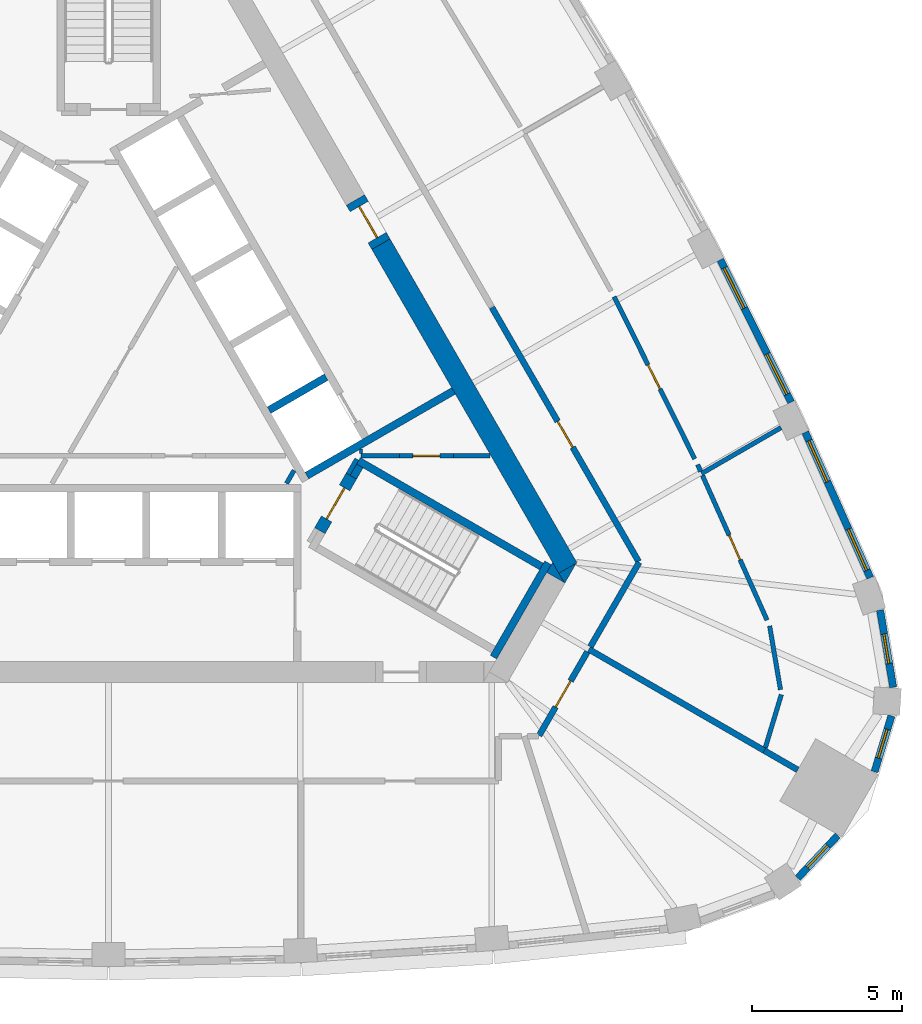
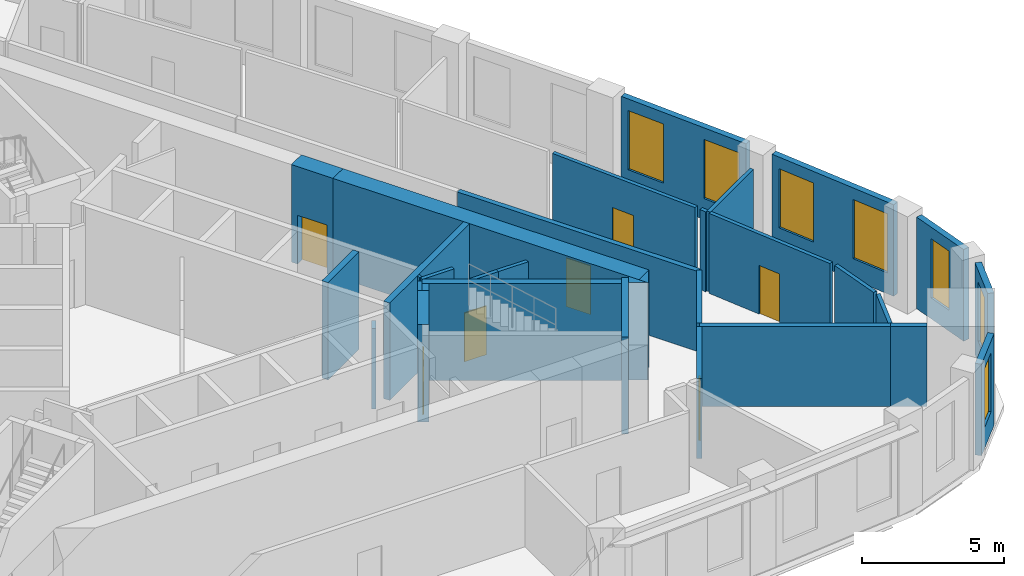
# One storey, part 7 of 11: 32 walls, 7 doors, 7 windows, 14 openings.
"""IFC4 building model written with IfcOpenShell, lengths in metres."""

from ifc_helpers import new_model, si_unit, direction, frame, frame_2d, origin, place, context, subcontext, project, spatial, polyline, rectangle, outline, extrude, material, layer, layer_set, type_object, element, fill, save


model = new_model("IFC4")

# Units and contexts
model_context = context("Model", 3, precision=1e-05, world=origin(), true_north=direction((0.0, 1.0)))
body_context = subcontext(model_context, "Body", "Model", "MODEL_VIEW")
ifc_project = project(units=[si_unit("LENGTHUNIT", "METRE"), si_unit("AREAUNIT", "SQUARE_METRE"), si_unit("VOLUMEUNIT", "CUBIC_METRE"), si_unit("PLANEANGLEUNIT", "RADIAN"), si_unit("MASSUNIT", "GRAM", prefix="KILO")], contexts=[model_context])

# Site, building, storey
site_placement = place(None, origin())
site = spatial("IfcSite", under=ifc_project, at=site_placement, CompositionType="ELEMENT")
building_placement = place(site_placement, origin())
building = spatial("IfcBuilding", under=site, at=building_placement, Name="Mestral Congress Tower", CompositionType="ELEMENT")
storey_placement = place(building_placement, frame((0.0, 0.0, 210.0)))
storey = spatial("IfcBuildingStorey", under=building, at=storey_placement, Name="L49", CompositionType="ELEMENT", Elevation=210.0)

# Walls
ifc_material_1 = material(Name="Fire-rated board partition")
ifc_layer_1 = layer(ifc_material_1, 0.14990234375)
ifc_layer_set_1 = layer_set([ifc_layer_1], Name="Fire-rated board partition")
wall_type_1 = type_object("IfcWallType", Name="Core partition 150", PredefinedType="PARTITIONING", material=ifc_layer_set_1)
wall_1_placement = place(storey_placement, frame((11.50048828125, -2.800537109375, 0.0), z_axis=(0.0, 0.0, 1.0), x_axis=(1.0, 0.0, 0.0)))
element("IfcWall", 1, at=wall_1_placement, inside=storey, type_object=wall_type_1, Name="L49 core wall", PredefinedType="PARTITIONING", context=body_context, shape_type="SweptSolid", body=[
    extrude(rectangle(XDim=1.22216796875, YDim=0.14990234375, at=frame_2d((0.611083984375, 0.0))), origin(), (0.0, 0.0, 1.0), 3.449951171875),
])
wall_2_placement = place(storey_placement, frame((5.935791015625, -3.718017578125, 0.0), z_axis=(0.0, 0.0, 1.0), x_axis=(0.499890179513, 0.866088799389, 0.0)))
element("IfcWall", 2, at=wall_2_placement, inside=storey, type_object=wall_type_1, Name="L49 core wall", PredefinedType="PARTITIONING", context=body_context, shape_type="SweptSolid", body=[
    extrude(rectangle(XDim=0.50390625, YDim=0.14990234375, at=frame_2d((0.251953125, 0.0))), origin(), (0.0, 0.0, 1.0), 3.449951171875),
])

# Wall, opening, door
wall_3_placement = place(storey_placement, frame((9.7001953125, -2.800048828125, 0.0), z_axis=(0.0, 0.0, 1.0), x_axis=(1.0, 0.0, 0.0)))
wall_3 = element("IfcWall", 3, at=wall_3_placement, inside=storey, type_object=wall_type_1, Name="L49 door wall", PredefinedType="PARTITIONING", context=body_context, shape_type="SweptSolid", body=[
    extrude(rectangle(XDim=1.800048828125, YDim=0.14990234375, at=frame_2d((0.89990234375, 0.0))), origin(), (0.0, 0.0, 1.0), 3.449951171875),
])
opening_1_placement = place(wall_3_placement, frame((0.449951171875, 0.0, 0.0)))
opening_1 = element("IfcOpeningElement", 4, at=opening_1_placement, cuts=wall_3, Name="Opening SD-PX10", PredefinedType="OPENING", context=body_context, shape_type="SweptSolid", body=[
    extrude(rectangle(XDim=0.89990234375, YDim=2.10009765625, at=frame_2d((0.449951171875, 1.050048828125))), frame((0.0, 0.0849609375, 0.0), z_axis=(0.0, -1.0, 0.0), x_axis=(1.0, 0.0, 0.0)), (0.0, 0.0, 1.0), 0.169921875),
])
ifc_material_2 = material(Name="Fire-rated steel door set", Category="steel")
door_type_1 = type_object("IfcDoorType", Name="Core door SR 900x2100", OperationType="SINGLE_SWING_LEFT", PredefinedType="DOOR", material=ifc_material_2)
door_1_placement = place(opening_1_placement, origin())
door_1 = element("IfcDoor", 5, at=door_1_placement, inside=storey, type_object=door_type_1, Name="Door SD-PX10", OperationType="SINGLE_SWING_LEFT", OverallHeight=2.10009765625, OverallWidth=0.89990234375, PredefinedType="DOOR", context=body_context, shape_type="SweptSolid", body=[
    extrude(rectangle(XDim=0.89990234375, YDim=2.10009765625, at=frame_2d((0.449951171875, 1.050048828125))), frame((0.0, 0.02490234375, 0.0), z_axis=(0.0, -1.0, 0.0), x_axis=(1.0, 0.0, 0.0)), (0.0, 0.0, 1.0), 0.050048828125),
])
fill(opening_1, door_1)

# Walls
ifc_material_3 = material(Name="Concrete C60/75", Category="concrete")
ifc_layer_2 = layer(ifc_material_3, 0.699951171875)
ifc_layer_set_2 = layer_set([ifc_layer_2], Name="Concrete C60/75")
wall_type_2 = type_object("IfcWallType", Name="Core wall RC 700", PredefinedType="SOLIDWALL", material=ifc_layer_set_2)
wall_4_placement = place(storey_placement, frame((9.085205078125, 4.263916015625, 0.0), z_axis=(0.0, 0.0, 1.0), x_axis=(0.499998082512, -0.866026510844, 0.0)))
element("IfcWall", 6, at=wall_4_placement, inside=storey, type_object=wall_type_2, Name="L49 core wall", PredefinedType="SOLIDWALL", context=body_context, shape_type="SweptSolid", body=[
    extrude(rectangle(XDim=12.47216796875, YDim=0.699951171875, at=frame_2d((6.236083984375, 0.0))), origin(), (0.0, 0.0, 1.0), 4.199951171875),
])
placement = place(storey_placement, origin())
element("IfcWall", 7, at=placement, inside=storey, type_object=wall_type_2, Name="L49 core wall", PredefinedType="SOLIDWALL", context=body_context, shape_type="SweptSolid", body=[
    extrude(outline(polyline([(15.213134765625, -7.050048828125), (15.019287109375, -6.714111328125), (15.60107421875, -6.3779296875), (15.213134765625, -7.050048828125)])), origin(), (0.0, 0.0, 1.0), 4.199951171875),
])
element("IfcWall", 8, at=placement, inside=storey, type_object=wall_type_2, Name="L49 core wall", PredefinedType="SOLIDWALL", context=body_context, shape_type="SweptSolid", body=[
    extrude(outline(polyline([(14.80908203125, -6.35009765625), (15.197265625, -7.022216796875), (14.614990234375, -6.68603515625), (14.80908203125, -6.35009765625)])), origin(), (0.0, 0.0, 1.0), 4.199951171875),
])

# Wall, opening, door
wall_7_placement = place(storey_placement, frame((8.2353515625, 5.736083984375, 0.0), z_axis=(0.0, 0.0, 1.0), x_axis=(0.499954529098, -0.86605165483, 0.0)))
wall_7 = element("IfcWall", 9, at=wall_7_placement, inside=storey, type_object=wall_type_2, Name="L49 door wall", PredefinedType="SOLIDWALL", context=body_context, shape_type="SweptSolid", body=[
    extrude(rectangle(XDim=1.699951171875, YDim=0.699951171875, at=frame_2d((0.85009765625, 0.0))), origin(), (0.0, 0.0, 1.0), 4.199951171875),
])
opening_2_placement = place(wall_7_placement, frame((0.25, 0.0, 0.0)))
opening_2 = element("IfcOpeningElement", 10, at=opening_2_placement, cuts=wall_7, Name="Opening XDL", PredefinedType="OPENING", context=body_context, shape_type="SweptSolid", body=[
    extrude(rectangle(XDim=1.199951171875, YDim=2.10009765625, at=frame_2d((0.60009765625, 1.050048828125))), frame((0.0, 0.35986328125, 0.0), z_axis=(0.0, -1.0, 0.0), x_axis=(1.0, 0.0, 0.0)), (0.0, 0.0, 1.0), 0.719970703125),
])
door_type_2 = type_object("IfcDoorType", Name="Core door XD 1200x2100", OperationType="SINGLE_SWING_LEFT", PredefinedType="DOOR", material=ifc_material_2)
door_2_placement = place(opening_2_placement, origin())
door_2 = element("IfcDoor", 11, at=door_2_placement, inside=storey, type_object=door_type_2, Name="Door XDL", OperationType="SINGLE_SWING_LEFT", OverallHeight=2.10009765625, OverallWidth=1.199951171875, PredefinedType="DOOR", context=body_context, shape_type="SweptSolid", body=[
    extrude(rectangle(XDim=1.199951171875, YDim=2.10009765625, at=frame_2d((0.60009765625, 1.050048828125))), frame((0.0, 0.02490234375, 0.0), z_axis=(0.0, -1.0, 0.0), x_axis=(1.0, 0.0, 0.0)), (0.0, 0.0, 1.0), 0.050048828125),
])
fill(opening_2, door_2)

# Wall, opening, window
ifc_material_4 = material(Name="Precast concrete C40/50 with limestone facing", Category="masonry")
ifc_layer_3 = layer(ifc_material_4, 0.239990234375)
ifc_layer_set_3 = layer_set([ifc_layer_3], Name="Precast concrete C40/50 with limestone facing")
wall_type_3 = type_object("IfcWallType", Name="Facade stone wall 240", PredefinedType="SOLIDWALL", material=ifc_layer_set_3)
wall_8_placement = place(storey_placement, frame((22.989013671875, -16.87890625, 0.0), z_axis=(0.0, 0.0, 1.0), x_axis=(0.684770274166, 0.728758994194, 0.0)))
wall_8 = element("IfcWall", 12, at=wall_8_placement, inside=storey, type_object=wall_type_3, Name="Facade wall K0-1", PredefinedType="SOLIDWALL", context=body_context, shape_type="SweptSolid", body=[
    extrude(rectangle(XDim=1.947998046875, YDim=0.239990234375, at=frame_2d((0.97412109375, 0.0))), origin(), (0.0, 0.0, 1.0), 3.949951171875),
])
opening_3_placement = place(wall_8_placement, frame((0.47412109375, 0.0, 0.89990234375)))
opening_3 = element("IfcOpeningElement", 13, at=opening_3_placement, cuts=wall_8, Name="Opening W5", PredefinedType="OPENING", context=body_context, shape_type="SweptSolid", body=[
    extrude(rectangle(XDim=1.0, YDim=2.550048828125, at=frame_2d((0.5, 1.27490234375))), frame((0.0, 0.1298828125, 0.0), z_axis=(0.0, -1.0, 0.0), x_axis=(1.0, 0.0, 0.0)), (0.0, 0.0, 1.0), 0.260009765625),
])
ifc_material_5 = material(Name="Clear low-emissivity double glazing", Category="glass")
window_type_1 = type_object("IfcWindowType", Name="Facade punched window 1000 x 2550 sill 900", PartitioningType="SINGLE_PANEL", PredefinedType="WINDOW", material=ifc_material_5)
window_1_placement = place(opening_3_placement, origin())
window_1 = element("IfcWindow", 14, at=window_1_placement, inside=storey, type_object=window_type_1, Name="Window K0-1", OverallHeight=2.550048828125, OverallWidth=1.0, PartitioningType="SINGLE_PANEL", PredefinedType="WINDOW", context=body_context, shape_type="SweptSolid", body=[
    extrude(rectangle(XDim=1.0, YDim=2.550048828125, at=frame_2d((0.5, 1.27490234375))), frame((0.0, 0.0400390625, 0.0), z_axis=(0.0, -1.0, 0.0), x_axis=(1.0, 0.0, 0.0)), (0.0, 0.0, 1.0), 0.06005859375),
])
fill(opening_3, window_1)

wall_9_placement = place(storey_placement, frame((25.5498046875, -13.334716796875, 0.0), z_axis=(0.0, 0.0, 1.0), x_axis=(0.288727209095, 0.957411405159, 0.0)))
wall_9 = element("IfcWall", 15, at=wall_9_placement, inside=storey, type_object=wall_type_3, Name="Facade wall K0-2", PredefinedType="SOLIDWALL", context=body_context, shape_type="SweptSolid", body=[
    extrude(rectangle(XDim=1.9482421875, YDim=0.239990234375, at=frame_2d((0.97412109375, 0.0))), origin(), (0.0, 0.0, 1.0), 3.949951171875),
])
opening_4_placement = place(wall_9_placement, frame((0.47412109375, 0.0, 0.89990234375)))
opening_4 = element("IfcOpeningElement", 16, at=opening_4_placement, cuts=wall_9, Name="Opening W5", PredefinedType="OPENING", context=body_context, shape_type="SweptSolid", body=[
    extrude(rectangle(XDim=1.0, YDim=2.550048828125, at=frame_2d((0.5, 1.27490234375))), frame((0.0, 0.1298828125, 0.0), z_axis=(0.0, -1.0, 0.0), x_axis=(1.0, 0.0, 0.0)), (0.0, 0.0, 1.0), 0.260009765625),
])
window_2_placement = place(opening_4_placement, origin())
window_2 = element("IfcWindow", 17, at=window_2_placement, inside=storey, type_object=window_type_1, Name="Window K0-2", OverallHeight=2.550048828125, OverallWidth=1.0, PartitioningType="SINGLE_PANEL", PredefinedType="WINDOW", context=body_context, shape_type="SweptSolid", body=[
    extrude(rectangle(XDim=1.0, YDim=2.550048828125, at=frame_2d((0.5, 1.27490234375))), frame((0.0, 0.0400390625, 0.0), z_axis=(0.0, -1.0, 0.0), x_axis=(1.0, 0.0, 0.0)), (0.0, 0.0, 1.0), 0.06005859375),
])
fill(opening_4, window_2)

wall_10_placement = place(storey_placement, frame((26.171630859375, -10.517333984375, 0.0), z_axis=(0.0, 0.0, 1.0), x_axis=(-0.167660055546, 0.985844869021, 0.0)))
wall_10 = element("IfcWall", 18, at=wall_10_placement, inside=storey, type_object=wall_type_3, Name="Facade wall K0-3", PredefinedType="SOLIDWALL", context=body_context, shape_type="SweptSolid", body=[
    extrude(rectangle(XDim=2.609375, YDim=0.239990234375, at=frame_2d((1.3046875, 0.0))), origin(), (0.0, 0.0, 1.0), 3.949951171875),
])
opening_5_placement = place(wall_10_placement, frame((0.8046875, 0.0, 0.89990234375)))
opening_5 = element("IfcOpeningElement", 19, at=opening_5_placement, cuts=wall_10, Name="Opening W5", PredefinedType="OPENING", context=body_context, shape_type="SweptSolid", body=[
    extrude(rectangle(XDim=1.0, YDim=2.550048828125, at=frame_2d((0.5, 1.27490234375))), frame((0.0, 0.1298828125, 0.0), z_axis=(0.0, -1.0, 0.0), x_axis=(1.0, 0.0, 0.0)), (0.0, 0.0, 1.0), 0.260009765625),
])
window_3_placement = place(opening_5_placement, origin())
window_3 = element("IfcWindow", 20, at=window_3_placement, inside=storey, type_object=window_type_1, Name="Window K0-3", OverallHeight=2.550048828125, OverallWidth=1.0, PartitioningType="SINGLE_PANEL", PredefinedType="WINDOW", context=body_context, shape_type="SweptSolid", body=[
    extrude(rectangle(XDim=1.0, YDim=2.550048828125, at=frame_2d((0.5, 1.27490234375))), frame((0.0, 0.0400390625, 0.0), z_axis=(0.0, -1.0, 0.0), x_axis=(1.0, 0.0, 0.0)), (0.0, 0.0, 1.0), 0.06005859375),
])
fill(opening_5, window_3)

# Wall, openings, windows
wall_11_placement = place(storey_placement, frame((25.405029296875, -6.86083984375, 0.0), z_axis=(0.0, 0.0, 1.0), x_axis=(-0.407579651789, 0.913169659728, 0.0)))
wall_11 = element("IfcWall", 21, at=wall_11_placement, inside=storey, type_object=wall_type_3, Name="Facade wall F1-00", PredefinedType="SOLIDWALL", context=body_context, shape_type="SweptSolid", body=[
    extrude(rectangle(XDim=5.310791015625, YDim=0.239990234375, at=frame_2d((2.6552734375, 0.0))), origin(), (0.0, 0.0, 1.0), 3.949951171875),
])
opening_6_placement = place(wall_11_placement, frame((0.271484375, 0.0, 0.89990234375)))
opening_6 = element("IfcOpeningElement", 22, at=opening_6_placement, cuts=wall_11, Name="Opening W4", PredefinedType="OPENING", context=body_context, shape_type="SweptSolid", body=[
    extrude(rectangle(XDim=1.5, YDim=2.550048828125, at=frame_2d((0.75, 1.27490234375))), frame((0.0, 0.1298828125, 0.0), z_axis=(0.0, -1.0, 0.0), x_axis=(1.0, 0.0, 0.0)), (0.0, 0.0, 1.0), 0.260009765625),
])
opening_7_placement = place(wall_11_placement, frame((3.50439453125, 0.0, 0.89990234375)))
opening_7 = element("IfcOpeningElement", 23, at=opening_7_placement, cuts=wall_11, Name="Opening W4", PredefinedType="OPENING", context=body_context, shape_type="SweptSolid", body=[
    extrude(rectangle(XDim=1.5, YDim=2.550048828125, at=frame_2d((0.75, 1.27490234375))), frame((0.0, 0.1298828125, 0.0), z_axis=(0.0, -1.0, 0.0), x_axis=(1.0, 0.0, 0.0)), (0.0, 0.0, 1.0), 0.260009765625),
])
window_type_2 = type_object("IfcWindowType", Name="Facade punched window 1500 x 2550 sill 900", PartitioningType="SINGLE_PANEL", PredefinedType="WINDOW", material=ifc_material_5)
window_4_placement = place(opening_6_placement, origin())
window_4 = element("IfcWindow", 24, at=window_4_placement, inside=storey, type_object=window_type_2, Name="Window F1-00a", OverallHeight=2.550048828125, OverallWidth=1.5, PartitioningType="SINGLE_PANEL", PredefinedType="WINDOW", context=body_context, shape_type="SweptSolid", body=[
    extrude(rectangle(XDim=1.5, YDim=2.550048828125, at=frame_2d((0.75, 1.27490234375))), frame((0.0, 0.0400390625, 0.0), z_axis=(0.0, -1.0, 0.0), x_axis=(1.0, 0.0, 0.0)), (0.0, 0.0, 1.0), 0.06005859375),
])
fill(opening_6, window_4)
window_5_placement = place(opening_7_placement, origin())
window_5 = element("IfcWindow", 25, at=window_5_placement, inside=storey, type_object=window_type_2, Name="Window F1-00b", OverallHeight=2.550048828125, OverallWidth=1.5, PartitioningType="SINGLE_PANEL", PredefinedType="WINDOW", context=body_context, shape_type="SweptSolid", body=[
    extrude(rectangle(XDim=1.5, YDim=2.550048828125, at=frame_2d((0.75, 1.27490234375))), frame((0.0, 0.0400390625, 0.0), z_axis=(0.0, -1.0, 0.0), x_axis=(1.0, 0.0, 0.0)), (0.0, 0.0, 1.0), 0.06005859375),
])
fill(opening_7, window_5)

wall_12_placement = place(storey_placement, frame((22.765869140625, -1.0048828125, 0.0), z_axis=(0.0, 0.0, 1.0), x_axis=(-0.445129582031, 0.895466166419, 0.0)))
wall_12 = element("IfcWall", 26, at=wall_12_placement, inside=storey, type_object=wall_type_3, Name="Facade wall F1-01", PredefinedType="SOLIDWALL", context=body_context, shape_type="SweptSolid", body=[
    extrude(rectangle(XDim=5.29833984375, YDim=0.239990234375, at=frame_2d((2.649169921875, 0.0))), origin(), (0.0, 0.0, 1.0), 3.949951171875),
])
opening_8_placement = place(wall_12_placement, frame((0.294677734375, 0.0, 0.89990234375)))
opening_8 = element("IfcOpeningElement", 27, at=opening_8_placement, cuts=wall_12, Name="Opening W4", PredefinedType="OPENING", context=body_context, shape_type="SweptSolid", body=[
    extrude(rectangle(XDim=1.5, YDim=2.550048828125, at=frame_2d((0.75, 1.27490234375))), frame((0.0, 0.1298828125, 0.0), z_axis=(0.0, -1.0, 0.0), x_axis=(1.0, 0.0, 0.0)), (0.0, 0.0, 1.0), 0.260009765625),
])
opening_9_placement = place(wall_12_placement, frame((3.503662109375, 0.0, 0.89990234375)))
opening_9 = element("IfcOpeningElement", 28, at=opening_9_placement, cuts=wall_12, Name="Opening W4", PredefinedType="OPENING", context=body_context, shape_type="SweptSolid", body=[
    extrude(rectangle(XDim=1.5, YDim=2.550048828125, at=frame_2d((0.75, 1.27490234375))), frame((0.0, 0.1298828125, 0.0), z_axis=(0.0, -1.0, 0.0), x_axis=(1.0, 0.0, 0.0)), (0.0, 0.0, 1.0), 0.260009765625),
])
window_6_placement = place(opening_8_placement, origin())
window_6 = element("IfcWindow", 29, at=window_6_placement, inside=storey, type_object=window_type_2, Name="Window F1-01a", OverallHeight=2.550048828125, OverallWidth=1.5, PartitioningType="SINGLE_PANEL", PredefinedType="WINDOW", context=body_context, shape_type="SweptSolid", body=[
    extrude(rectangle(XDim=1.5, YDim=2.550048828125, at=frame_2d((0.75, 1.27490234375))), frame((0.0, 0.0400390625, 0.0), z_axis=(0.0, -1.0, 0.0), x_axis=(1.0, 0.0, 0.0)), (0.0, 0.0, 1.0), 0.06005859375),
])
fill(opening_8, window_6)
window_7_placement = place(opening_9_placement, origin())
window_7 = element("IfcWindow", 30, at=window_7_placement, inside=storey, type_object=window_type_2, Name="Window F1-01b", OverallHeight=2.550048828125, OverallWidth=1.5, PartitioningType="SINGLE_PANEL", PredefinedType="WINDOW", context=body_context, shape_type="SweptSolid", body=[
    extrude(rectangle(XDim=1.5, YDim=2.550048828125, at=frame_2d((0.75, 1.27490234375))), frame((0.0, 0.0400390625, 0.0), z_axis=(0.0, -1.0, 0.0), x_axis=(1.0, 0.0, 0.0)), (0.0, 0.0, 1.0), 0.06005859375),
])
fill(opening_9, window_7)

# Walls
ifc_material_6 = material(Name="Plasterboard partition on steel studs", Category="steel")
ifc_layer_4 = layer(ifc_material_6, 0.14990234375)
ifc_layer_set_4 = layer_set([ifc_layer_4], Name="Plasterboard partition on steel studs")
wall_type_4 = type_object("IfcWallType", Name="Office partition 150", PredefinedType="PARTITIONING", material=ifc_layer_set_4)
wall_13_placement = place(storey_placement, frame((19.7802734375, -3.385986328125, 0.0), z_axis=(0.0, 0.0, 1.0), x_axis=(0.866063280451, 0.49993438995, 0.0)))
element("IfcWall", 31, at=wall_13_placement, inside=storey, type_object=wall_type_4, Name="Partition", PredefinedType="PARTITIONING", context=body_context, shape_type="SweptSolid", body=[
    extrude(rectangle(XDim=3.05810546875, YDim=0.14990234375, at=frame_2d((1.529052734375, 0.0))), origin(), (0.0, 0.0, 1.0), 3.449951171875),
])
wall_14_placement = place(storey_placement, frame((21.90625, -12.531982421875, 0.0), z_axis=(0.0, 0.0, 1.0), x_axis=(0.288789848591, 0.957392512688, 0.0)))
element("IfcWall", 32, at=wall_14_placement, inside=storey, type_object=wall_type_4, Name="Partition", PredefinedType="PARTITIONING", context=body_context, shape_type="SweptSolid", body=[
    extrude(rectangle(XDim=1.84814453125, YDim=0.14990234375, at=frame_2d((0.924072265625, 0.0))), origin(), (0.0, 0.0, 1.0), 3.449951171875),
])
wall_15_placement = place(storey_placement, frame((22.41162109375, -10.5966796875, 0.0), z_axis=(0.0, 0.0, 1.0), x_axis=(-0.167612004459, 0.985853039738, 0.0)))
element("IfcWall", 33, at=wall_15_placement, inside=storey, type_object=wall_type_4, Name="Partition", PredefinedType="PARTITIONING", context=body_context, shape_type="SweptSolid", body=[
    extrude(rectangle(XDim=2.15576171875, YDim=0.14990234375, at=frame_2d((1.077880859375, 0.0))), origin(), (0.0, 0.0, 1.0), 3.449951171875),
])

# Wall, opening, door
wall_16_placement = place(storey_placement, frame((19.81103515625, -3.455078125, 0.0), z_axis=(0.0, 0.0, 1.0), x_axis=(0.407605393886, -0.913158169692, 0.0)))
wall_16 = element("IfcWall", 34, at=wall_16_placement, inside=storey, type_object=wall_type_4, Name="Partition", PredefinedType="PARTITIONING", context=body_context, shape_type="SweptSolid", body=[
    extrude(rectangle(XDim=5.279296875, YDim=0.14990234375, at=frame_2d((2.6396484375, 0.0))), origin(), (0.0, 0.0, 1.0), 3.449951171875),
])
opening_10_placement = place(wall_16_placement, frame((2.179443359375, 0.0, 0.0)))
opening_10 = element("IfcOpeningElement", 35, at=opening_10_placement, cuts=wall_16, Name="Opening O06-005", PredefinedType="OPENING", context=body_context, shape_type="SweptSolid", body=[
    extrude(rectangle(XDim=0.89990234375, YDim=2.10009765625, at=frame_2d((0.449951171875, 1.050048828125))), frame((0.0, 0.0849609375, 0.0), z_axis=(0.0, -1.0, 0.0), x_axis=(1.0, 0.0, 0.0)), (0.0, 0.0, 1.0), 0.169921875),
])
ifc_material_7 = material(Name="Timber door set", Category="wood")
door_type_3 = type_object("IfcDoorType", Name="Office door 900x2100", OperationType="SINGLE_SWING_LEFT", PredefinedType="DOOR", material=ifc_material_7)
door_3_placement = place(opening_10_placement, origin())
door_3 = element("IfcDoor", 36, at=door_3_placement, inside=storey, type_object=door_type_3, Name="Door O06-005", OperationType="SINGLE_SWING_LEFT", OverallHeight=2.10009765625, OverallWidth=0.89990234375, PredefinedType="DOOR", context=body_context, shape_type="SweptSolid", body=[
    extrude(rectangle(XDim=0.89990234375, YDim=2.10009765625, at=frame_2d((0.449951171875, 1.050048828125))), frame((0.0, 0.02490234375, 0.0), z_axis=(0.0, -1.0, 0.0), x_axis=(1.0, 0.0, 0.0)), (0.0, 0.0, 1.0), 0.050048828125),
])
fill(opening_10, door_3)

# Wall
wall_17_placement = place(storey_placement, frame((19.74951171875, -3.3173828125, 0.0), z_axis=(0.0, 0.0, 1.0), x_axis=(-0.406774979688, 0.913528388119, 0.0)))
element("IfcWall", 37, at=wall_17_placement, inside=storey, type_object=wall_type_4, Name="Partition", PredefinedType="PARTITIONING", context=body_context, shape_type="SweptSolid", body=[
    extrude(rectangle(XDim=0.2490234375, YDim=0.14990234375, at=frame_2d((0.12451171875, 0.0))), origin(), (0.0, 0.0, 1.0), 3.449951171875),
])

# Wall, opening, door
wall_18_placement = place(storey_placement, frame((16.86279296875, 2.5126953125, 0.0), z_axis=(0.0, 0.0, 1.0), x_axis=(0.445159947046, -0.895451071553, 0.0)))
wall_18 = element("IfcWall", 38, at=wall_18_placement, inside=storey, type_object=wall_type_4, Name="Partition", PredefinedType="PARTITIONING", context=body_context, shape_type="SweptSolid", body=[
    extrude(rectangle(XDim=6.042724609375, YDim=0.14990234375, at=frame_2d((3.021484375, 0.0))), origin(), (0.0, 0.0, 1.0), 3.449951171875),
])
opening_11_placement = place(wall_18_placement, frame((2.54248046875, 0.0, 0.0)))
opening_11 = element("IfcOpeningElement", 39, at=opening_11_placement, cuts=wall_18, Name="Opening O06-006", PredefinedType="OPENING", context=body_context, shape_type="SweptSolid", body=[
    extrude(rectangle(XDim=0.89990234375, YDim=2.10009765625, at=frame_2d((0.449951171875, 1.050048828125))), frame((0.0, 0.0849609375, 0.0), z_axis=(0.0, -1.0, 0.0), x_axis=(1.0, 0.0, 0.0)), (0.0, 0.0, 1.0), 0.169921875),
])
door_4_placement = place(opening_11_placement, origin())
door_4 = element("IfcDoor", 40, at=door_4_placement, inside=storey, type_object=door_type_3, Name="Door O06-006", OperationType="SINGLE_SWING_LEFT", OverallHeight=2.10009765625, OverallWidth=0.89990234375, PredefinedType="DOOR", context=body_context, shape_type="SweptSolid", body=[
    extrude(rectangle(XDim=0.89990234375, YDim=2.10009765625, at=frame_2d((0.449951171875, 1.050048828125))), frame((0.0, 0.02490234375, 0.0), z_axis=(0.0, -1.0, 0.0), x_axis=(1.0, 0.0, 0.0)), (0.0, 0.0, 1.0), 0.050048828125),
])
fill(opening_11, door_4)

# Walls
ifc_material_8 = material(Name="Dense masonry wall, plastered", Category="masonry")
ifc_layer_5 = layer(ifc_material_8, 0.199951171875)
ifc_layer_set_5 = layer_set([ifc_layer_5], Name="Dense masonry wall, plastered")
wall_type_5 = type_object("IfcWallType", Name="Office tenancy wall 200", PredefinedType="PARTITIONING", material=ifc_layer_set_5)
wall_19_placement = place(storey_placement, frame((21.873046875, -12.62841796875, 0.0), z_axis=(0.0, 0.0, 1.0), x_axis=(0.866052988967, -0.499952218018, 0.0)))
element("IfcWall", 41, at=wall_19_placement, inside=storey, type_object=wall_type_5, Name="Tenancy wall", PredefinedType="PARTITIONING", context=body_context, shape_type="SweptSolid", body=[
    extrude(rectangle(XDim=1.287841796875, YDim=0.199951171875, at=frame_2d((0.64404296875, 0.0))), origin(), (0.0, 0.0, 1.0), 3.449951171875),
])
wall_20_placement = place(storey_placement, frame((16.021484375, -9.25, 0.0), z_axis=(0.0, 0.0, 1.0), x_axis=(0.86602692059, -0.499997372806, 0.0)))
element("IfcWall", 42, at=wall_20_placement, inside=storey, type_object=wall_type_5, Name="Tenancy wall", PredefinedType="PARTITIONING", context=body_context, shape_type="SweptSolid", body=[
    extrude(rectangle(XDim=6.7646484375, YDim=0.199951171875, at=frame_2d((3.38232421875, 0.0))), origin(), (0.0, 0.0, 1.0), 3.449951171875),
])

# Wall, opening, door
wall_21_placement = place(storey_placement, frame((14.362060546875, -12.1240234375, 0.0), z_axis=(0.0, 0.0, 1.0), x_axis=(0.500022299258, 0.866012528919, 0.0)))
wall_21 = element("IfcWall", 43, at=wall_21_placement, inside=storey, type_object=wall_type_5, Name="Tenancy wall", PredefinedType="PARTITIONING", context=body_context, shape_type="SweptSolid", body=[
    extrude(rectangle(XDim=3.218505859375, YDim=0.199951171875, at=frame_2d((1.609375, 0.0))), origin(), (0.0, 0.0, 1.0), 3.449951171875),
])
opening_12_placement = place(wall_21_placement, frame((1.10009765625, 0.0, 0.0)))
opening_12 = element("IfcOpeningElement", 44, at=opening_12_placement, cuts=wall_21, Name="Opening O06-004", PredefinedType="OPENING", context=body_context, shape_type="SweptSolid", body=[
    extrude(rectangle(XDim=1.0, YDim=2.10009765625, at=frame_2d((0.5, 1.050048828125))), frame((0.0, 0.10986328125, 0.0), z_axis=(0.0, -1.0, 0.0), x_axis=(1.0, 0.0, 0.0)), (0.0, 0.0, 1.0), 0.219970703125),
])
ifc_material_9 = material(Name="Fire-rated timber door set", Category="wood")
door_type_4 = type_object("IfcDoorType", Name="Office tenancy entrance door 1000x2100", OperationType="SINGLE_SWING_LEFT", PredefinedType="DOOR", material=ifc_material_9)
door_5_placement = place(opening_12_placement, origin())
door_5 = element("IfcDoor", 45, at=door_5_placement, inside=storey, type_object=door_type_4, Name="Door O06-004", OperationType="SINGLE_SWING_LEFT", OverallHeight=2.10009765625, OverallWidth=1.0, PredefinedType="DOOR", context=body_context, shape_type="SweptSolid", body=[
    extrude(rectangle(XDim=1.0, YDim=2.10009765625, at=frame_2d((0.5, 1.050048828125))), frame((0.0, 0.02490234375, 0.0), z_axis=(0.0, -1.0, 0.0), x_axis=(1.0, 0.0, 0.0)), (0.0, 0.0, 1.0), 0.050048828125),
])
fill(opening_12, door_5)

# Wall
wall_22_placement = place(storey_placement, frame((16.071533203125, -9.163330078125, 0.0), z_axis=(0.0, 0.0, 1.0), x_axis=(0.500010870188, 0.866019127788, 0.0)))
element("IfcWall", 46, at=wall_22_placement, inside=storey, type_object=wall_type_5, Name="Tenancy wall", PredefinedType="PARTITIONING", context=body_context, shape_type="SweptSolid", body=[
    extrude(rectangle(XDim=3.24853515625, YDim=0.199951171875, at=frame_2d((1.624267578125, 0.0))), origin(), (0.0, 0.0, 1.0), 3.449951171875),
])

# Wall, opening, door
wall_23_placement = place(storey_placement, frame((17.680908203125, -6.323974609375, 0.0), z_axis=(0.0, 0.0, 1.0), x_axis=(-0.500021153861, 0.866013190252, 0.0)))
wall_23 = element("IfcWall", 47, at=wall_23_placement, inside=storey, type_object=wall_type_5, Name="Tenancy wall", PredefinedType="PARTITIONING", context=body_context, shape_type="SweptSolid", body=[
    extrude(rectangle(XDim=9.787109375, YDim=0.199951171875, at=frame_2d((4.8935546875, 0.0))), origin(), (0.0, 0.0, 1.0), 3.449951171875),
])
opening_13_placement = place(wall_23_placement, frame((4.39990234375, 0.0, 0.0)))
opening_13 = element("IfcOpeningElement", 48, at=opening_13_placement, cuts=wall_23, Name="Opening O06-009", PredefinedType="OPENING", context=body_context, shape_type="SweptSolid", body=[
    extrude(rectangle(XDim=1.0, YDim=2.10009765625, at=frame_2d((0.5, 1.050048828125))), frame((0.0, 0.10986328125, 0.0), z_axis=(0.0, -1.0, 0.0), x_axis=(1.0, 0.0, 0.0)), (0.0, 0.0, 1.0), 0.219970703125),
])
door_6_placement = place(opening_13_placement, origin())
door_6 = element("IfcDoor", 49, at=door_6_placement, inside=storey, type_object=door_type_4, Name="Door O06-009", OperationType="SINGLE_SWING_RIGHT", OverallHeight=2.10009765625, OverallWidth=1.0, PredefinedType="DOOR", context=body_context, shape_type="SweptSolid", body=[
    extrude(rectangle(XDim=1.0, YDim=2.10009765625, at=frame_2d((0.5, 1.050048828125))), frame((0.0, 0.02490234375, 0.0), z_axis=(0.0, -1.0, 0.0), x_axis=(1.0, 0.0, 0.0)), (0.0, 0.0, 1.0), 0.050048828125),
])
fill(opening_13, door_6)

# Walls
ifc_layer_6 = layer(ifc_material_3, 0.25)
ifc_layer_set_6 = layer_set([ifc_layer_6], Name="Concrete C60/75")
wall_type_6 = type_object("IfcWallType", Name="Shaft wall RC 250", PredefinedType="SOLIDWALL", material=ifc_layer_set_6)
wall_24_placement = place(storey_placement, frame((5.35400390625, -1.273681640625, 0.0), z_axis=(0.0, 0.0, 1.0), x_axis=(0.866008176907, 0.50002983664, 0.0)))
element("IfcWall", 50, at=wall_24_placement, inside=storey, type_object=wall_type_6, Name="L49 core wall", PredefinedType="SOLIDWALL", context=body_context, shape_type="SweptSolid", body=[
    extrude(rectangle(XDim=2.199951171875, YDim=0.25, at=frame_2d((1.10009765625, 0.0))), origin(), (0.0, 0.0, 1.0), 4.199951171875),
])
wall_25_placement = place(storey_placement, frame((11.507080078125, -0.630859375, 0.0), z_axis=(0.0, 0.0, 1.0), x_axis=(-0.866011447264, -0.500024172624, 0.0)))
element("IfcWall", 51, at=wall_25_placement, inside=storey, type_object=wall_type_6, Name="L49 core wall", PredefinedType="SOLIDWALL", context=body_context, shape_type="SweptSolid", body=[
    extrude(rectangle(XDim=5.650146484375, YDim=0.25, at=frame_2d((2.8251953125, 0.0))), origin(), (0.0, 0.0, 1.0), 4.199951171875),
])
ifc_layer_7 = layer(ifc_material_3, 0.14990234375)
ifc_layer_set_7 = layer_set([ifc_layer_7], Name="Concrete C60/75")
wall_type_7 = type_object("IfcWallType", Name="Shaft wall RC 250 door-wall 150", PredefinedType="SOLIDWALL", material=ifc_layer_set_7)
wall_26_placement = place(storey_placement, frame((8.412109375, -2.800048828125, 0.0), z_axis=(0.0, 0.0, 1.0), x_axis=(1.0, 0.0, 0.0)))
element("IfcWall", 52, at=wall_26_placement, inside=storey, type_object=wall_type_7, Name="L49 core wall", PredefinedType="PARTITIONING", context=body_context, shape_type="SweptSolid", body=[
    extrude(rectangle(XDim=1.2880859375, YDim=0.14990234375, at=frame_2d((0.64404296875, 0.0))), origin(), (0.0, 0.0, 1.0), 4.199951171875),
])
wall_27_placement = place(storey_placement, frame((8.3701171875, -2.64990234375, 0.0), z_axis=(0.0, 0.0, 1.0), x_axis=(1.0, 0.0, 0.0)))
element("IfcWall", 53, at=wall_27_placement, inside=storey, type_object=wall_type_7, Name="L49 core wall", PredefinedType="PARTITIONING", context=body_context, shape_type="SweptSolid", body=[
    extrude(rectangle(XDim=0.10791015625, YDim=0.14990234375, at=frame_2d((0.053955078125, 0.0))), origin(), (0.0, 0.0, 1.0), 4.199951171875),
])
wall_28_placement = place(storey_placement, frame((8.281494140625, -2.906982421875, 0.0), z_axis=(0.0, 0.0, 1.0), x_axis=(-0.500193841991, -0.86591346013, 0.0)))
element("IfcWall", 54, at=wall_28_placement, inside=storey, type_object=wall_type_7, Name="L49 core wall", PredefinedType="PARTITIONING", context=body_context, shape_type="SweptSolid", body=[
    extrude(rectangle(XDim=0.582763671875, YDim=0.14990234375, at=frame_2d((0.29150390625, 0.0))), origin(), (0.0, 0.0, 1.0), 4.199951171875),
])
ifc_layer_8 = layer(ifc_material_3, 0.25)
ifc_layer_set_8 = layer_set([ifc_layer_8], Name="Concrete C60/75")
wall_type_8 = type_object("IfcWallType", Name="Stair wall RC 250", PredefinedType="SOLIDWALL", material=ifc_layer_set_8)
wall_29_placement = place(storey_placement, frame((12.839599609375, -9.510986328125, 0.0), z_axis=(0.0, 0.0, 1.0), x_axis=(0.500048121057, 0.865997619297, 0.0)))
element("IfcWall", 55, at=wall_29_placement, inside=storey, type_object=wall_type_8, Name="L49 core wall", PredefinedType="SOLIDWALL", context=body_context, shape_type="SweptSolid", body=[
    extrude(rectangle(XDim=3.634033203125, YDim=0.25, at=frame_2d((1.81689453125, 0.0))), origin(), (0.0, 0.0, 1.0), 4.199951171875),
])
wall_30_placement = place(storey_placement, frame((8.33447265625, -2.96435546875, 0.0), z_axis=(0.0, 0.0, 1.0), x_axis=(0.866016039709, -0.500016218704, 0.0)))
element("IfcWall", 56, at=wall_30_placement, inside=storey, type_object=wall_type_8, Name="L49 core wall", PredefinedType="SOLIDWALL", context=body_context, shape_type="SweptSolid", body=[
    extrude(rectangle(XDim=7.050048828125, YDim=0.25, at=frame_2d((3.52490234375, 0.0))), origin(), (0.0, 0.0, 1.0), 4.199951171875),
])
wall_31_placement = place(storey_placement, frame((8.162841796875, -3.51123046875, 0.0), z_axis=(0.0, 0.0, 1.0), x_axis=(0.500127794843, 0.865951608824, 0.0)))
element("IfcWall", 57, at=wall_31_placement, inside=storey, type_object=wall_type_8, Name="L49 core wall", PredefinedType="SOLIDWALL", context=body_context, shape_type="SweptSolid", body=[
    extrude(rectangle(XDim=0.4345703125, YDim=0.25, at=frame_2d((0.21728515625, 0.0))), origin(), (0.0, 0.0, 1.0), 4.199951171875),
])

# Wall, opening, door
ifc_layer_9 = layer(ifc_material_3, 0.39990234375)
ifc_layer_set_9 = layer_set([ifc_layer_9], Name="Concrete C60/75")
wall_type_9 = type_object("IfcWallType", Name="Stair wall RC 250 door-wall 400", PredefinedType="SOLIDWALL", material=ifc_layer_set_9)
wall_32_placement = place(storey_placement, frame((7.048095703125, -5.29248046875, 0.0), z_axis=(0.0, 0.0, 1.0), x_axis=(0.49994051562, 0.866059744384, 0.0)))
wall_32 = element("IfcWall", 58, at=wall_32_placement, inside=storey, type_object=wall_type_9, Name="L49 door wall", PredefinedType="SOLIDWALL", context=body_context, shape_type="SweptSolid", body=[
    extrude(rectangle(XDim=2.099853515625, YDim=0.39990234375, at=frame_2d((1.0498046875, 0.0))), origin(), (0.0, 0.0, 1.0), 4.199951171875),
])
opening_14_placement = place(wall_32_placement, frame((0.449951171875, 0.0, 0.0)))
opening_14 = element("IfcOpeningElement", 59, at=opening_14_placement, cuts=wall_32, Name="Opening ST-D1", PredefinedType="OPENING", context=body_context, shape_type="SweptSolid", body=[
    extrude(rectangle(XDim=1.199951171875, YDim=2.10009765625, at=frame_2d((0.60009765625, 1.050048828125))), frame((0.0, 0.2099609375, 0.0), z_axis=(0.0, -1.0, 0.0), x_axis=(1.0, 0.0, 0.0)), (0.0, 0.0, 1.0), 0.419921875),
])
door_type_5 = type_object("IfcDoorType", Name="Core door ST 1200x2100", OperationType="SINGLE_SWING_LEFT", PredefinedType="DOOR", material=ifc_material_2)
door_7_placement = place(opening_14_placement, origin())
door_7 = element("IfcDoor", 60, at=door_7_placement, inside=storey, type_object=door_type_5, Name="Door ST-D1", OperationType="SINGLE_SWING_LEFT", OverallHeight=2.10009765625, OverallWidth=1.199951171875, PredefinedType="DOOR", context=body_context, shape_type="SweptSolid", body=[
    extrude(rectangle(XDim=1.199951171875, YDim=2.10009765625, at=frame_2d((0.60009765625, 1.050048828125))), frame((0.0, 0.02490234375, 0.0), z_axis=(0.0, -1.0, 0.0), x_axis=(1.0, 0.0, 0.0)), (0.0, 0.0, 1.0), 0.050048828125),
])
fill(opening_14, door_7)

save(model, "model.ifc")
